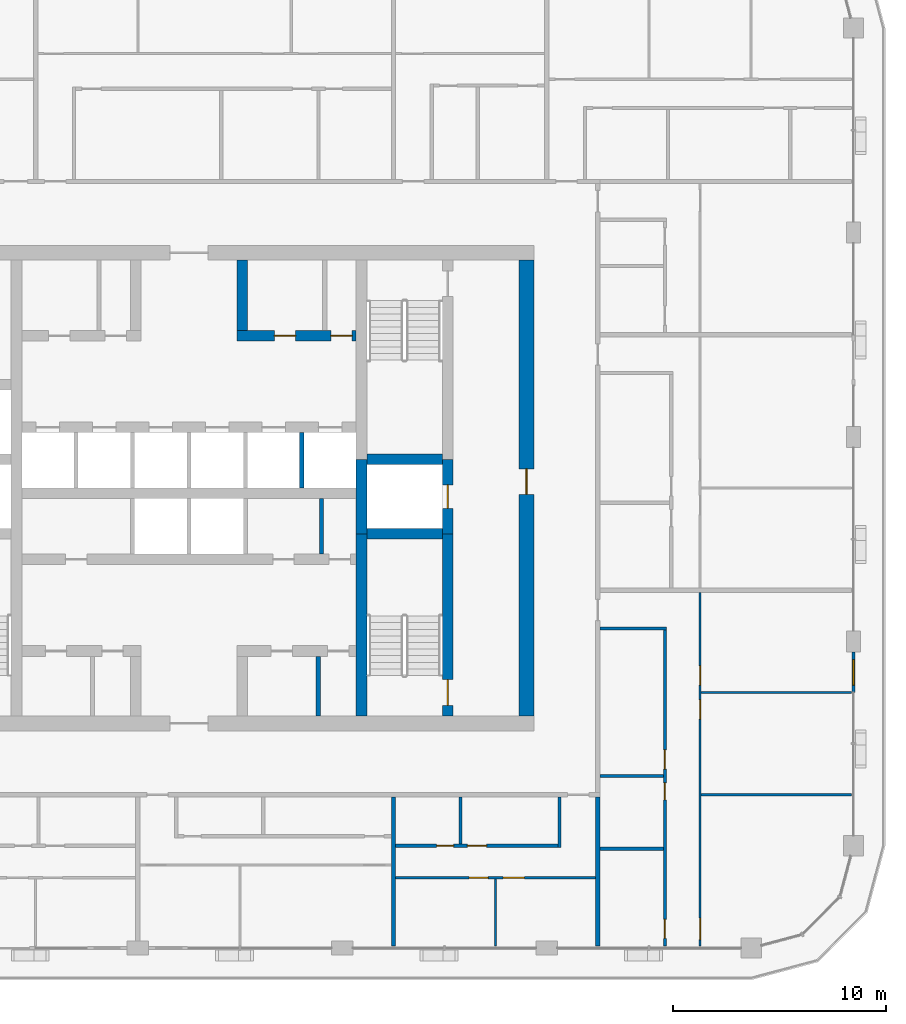
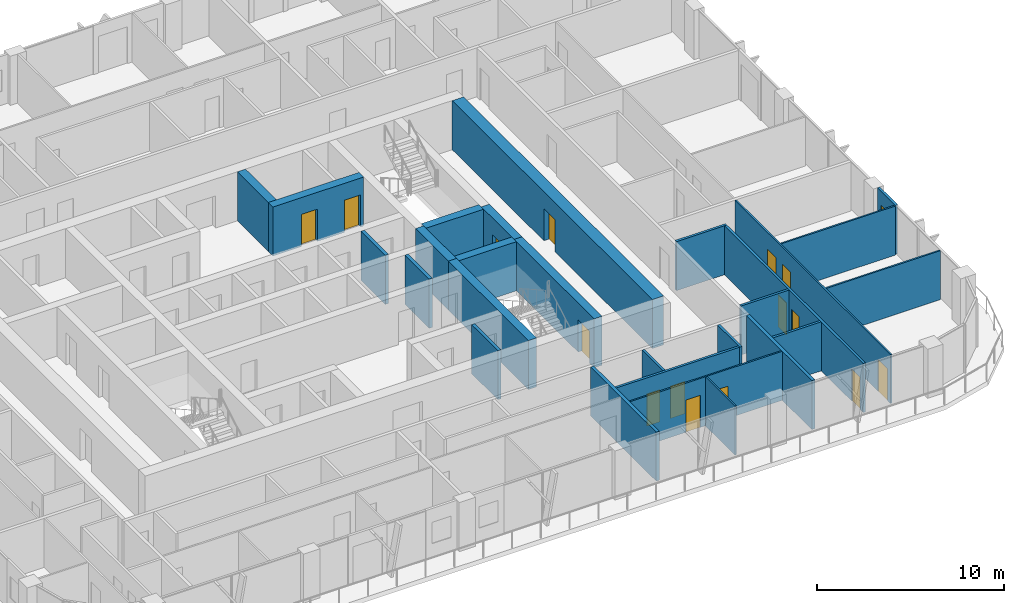
# One storey, part 12 of 23: 27 walls, 15 doors, 1 window, 16 openings.
"""IFC4 building model written with IfcOpenShell, lengths in metres."""

from ifc_helpers import new_model, si_unit, direction, frame, frame_2d, origin, place, context, subcontext, project, spatial, rectangle, extrude, material, layer, layer_set, type_object, element, fill, save


model = new_model("IFC4")

# Units and contexts
model_context = context("Model", 3, precision=1e-05, world=origin(), true_north=direction((0.0, 1.0)))
body_context = subcontext(model_context, "Body", "Model", "MODEL_VIEW")
ifc_project = project(units=[si_unit("LENGTHUNIT", "METRE"), si_unit("AREAUNIT", "SQUARE_METRE"), si_unit("VOLUMEUNIT", "CUBIC_METRE"), si_unit("PLANEANGLEUNIT", "RADIAN"), si_unit("MASSUNIT", "GRAM", prefix="KILO")], contexts=[model_context])

# Site, building, storey
site_placement = place(None, origin())
site = spatial("IfcSite", under=ifc_project, at=site_placement, CompositionType="ELEMENT")
building_placement = place(site_placement, origin())
building = spatial("IfcBuilding", under=site, at=building_placement, Name="Madar Terraces", CompositionType="ELEMENT")
storey_placement = place(building_placement, frame((0.0, 0.0, 215.800048828125)))
storey = spatial("IfcBuildingStorey", under=building, at=storey_placement, Name="L56", CompositionType="ELEMENT", Elevation=215.800048828125)

# Walls
ifc_material_1 = material(Name="Concrete C60/75", Category="concrete")
ifc_layer_1 = layer(ifc_material_1, 0.5)
ifc_layer_set_1 = layer_set([ifc_layer_1], Name="Concrete C60/75 (CIW4 RC wall 500)")
wall_type_1 = type_object("IfcWallType", Name="CIW4 RC wall 500", PredefinedType="SHEAR", material=ifc_layer_set_1)
wall_1_placement = place(storey_placement, frame((39.300048828125, 15.699951171875, 0.0), z_axis=(0.0, 0.0, 1.0), x_axis=(0.0, 1.0, 0.0)))
element("IfcWall", 1, at=wall_1_placement, inside=storey, type_object=wall_type_1, Name="CORE SHAFT WALL", PredefinedType="SHEAR", context=body_context, shape_type="SweptSolid", body=[
    extrude(rectangle(XDim=8.550048828125, YDim=0.5, at=frame_2d((4.27490234375, 0.0))), origin(), (0.0, 0.0, 1.0), 3.199951171875),
])
wall_2_placement = place(storey_placement, frame((39.300048828125, 24.25, 0.0), z_axis=(0.0, 0.0, 1.0), x_axis=(0.0, 1.0, 0.0)))
element("IfcWall", 2, at=wall_2_placement, inside=storey, type_object=wall_type_1, Name="CORE SHAFT WALL", PredefinedType="SHEAR", context=body_context, shape_type="SweptSolid", body=[
    extrude(rectangle(XDim=3.5, YDim=0.5, at=frame_2d((1.75, 0.0))), origin(), (0.0, 0.0, 1.0), 3.199951171875),
])

# Wall, opening, door
wall_3_placement = place(storey_placement, frame((43.35009765625, 15.699951171875, 0.0), z_axis=(0.0, 0.0, 1.0), x_axis=(0.0, 1.0, 0.0)))
wall_3 = element("IfcWall", 3, at=wall_3_placement, inside=storey, type_object=wall_type_1, Name="CORE SHAFT WALL", PredefinedType="SHEAR", context=body_context, shape_type="SweptSolid", body=[
    extrude(rectangle(XDim=8.550048828125, YDim=0.5, at=frame_2d((4.27490234375, 0.0))), origin(), (0.0, 0.0, 1.0), 3.199951171875),
])
opening_1_placement = place(wall_3_placement, frame((0.5, 0.0, 0.0)))
opening_1 = element("IfcOpeningElement", 4, at=opening_1_placement, cuts=wall_3, Name="Opening SD1", PredefinedType="OPENING", context=body_context, shape_type="SweptSolid", body=[
    extrude(rectangle(XDim=1.199951171875, YDim=2.10009765625, at=frame_2d((0.60009765625, 1.050048828125))), frame((0.0, 0.260009765625, 0.0), z_axis=(0.0, -1.0, 0.0), x_axis=(1.0, 0.0, 0.0)), (0.0, 0.0, 1.0), 0.52001953125),
])
ifc_material_2 = material(Name="Steel door leaf", Category="steel")
door_type_1 = type_object("IfcDoorType", Name="Stair door 1200 x 2100", OperationType="NOTDEFINED", PredefinedType="DOOR", material=ifc_material_2)
door_1_placement = place(opening_1_placement, origin())
door_1 = element("IfcDoor", 5, at=door_1_placement, inside=storey, type_object=door_type_1, Name="STAIR DOOR", OperationType="SINGLE_SWING_LEFT", OverallHeight=2.10009765625, OverallWidth=1.199951171875, PredefinedType="DOOR", context=body_context, shape_type="SweptSolid", body=[
    extrude(rectangle(XDim=1.199951171875, YDim=2.10009765625, at=frame_2d((0.60009765625, 1.050048828125))), frame((0.0, 0.02490234375, 0.0), z_axis=(0.0, -1.0, 0.0), x_axis=(1.0, 0.0, 0.0)), (0.0, 0.0, 1.0), 0.050048828125),
])
fill(opening_1, door_1)

wall_4_placement = place(storey_placement, frame((43.35009765625, 24.25, 0.0), z_axis=(0.0, 0.0, 1.0), x_axis=(0.0, 1.0, 0.0)))
wall_4 = element("IfcWall", 6, at=wall_4_placement, inside=storey, type_object=wall_type_1, Name="CORE SHAFT WALL", PredefinedType="SHEAR", context=body_context, shape_type="SweptSolid", body=[
    extrude(rectangle(XDim=3.5, YDim=0.5, at=frame_2d((1.75, 0.0))), origin(), (0.0, 0.0, 1.0), 3.199951171875),
])
opening_2_placement = place(wall_4_placement, frame((1.199951171875, 0.0, 0.0)))
opening_2 = element("IfcOpeningElement", 7, at=opening_2_placement, cuts=wall_4, Name="Opening LD", PredefinedType="OPENING", context=body_context, shape_type="SweptSolid", body=[
    extrude(rectangle(XDim=1.10009765625, YDim=2.10009765625, at=frame_2d((0.550048828125, 1.050048828125))), frame((0.0, 0.260009765625, 0.0), z_axis=(0.0, -1.0, 0.0), x_axis=(1.0, 0.0, 0.0)), (0.0, 0.0, 1.0), 0.52001953125),
])
ifc_material_3 = material(Name="Stainless steel panel", Category="steel")
door_type_2 = type_object("IfcDoorType", Name="Lift landing door 1100 x 2100", OperationType="DOUBLE_DOOR_SLIDING", PredefinedType="DOOR", material=ifc_material_3)
door_2_placement = place(opening_2_placement, origin())
door_2 = element("IfcDoor", 8, at=door_2_placement, inside=storey, type_object=door_type_2, Name="LIFT LANDING DOOR", OperationType="DOUBLE_DOOR_SLIDING", OverallHeight=2.10009765625, OverallWidth=1.10009765625, PredefinedType="DOOR", context=body_context, shape_type="SweptSolid", body=[
    extrude(rectangle(XDim=1.10009765625, YDim=2.10009765625, at=frame_2d((0.550048828125, 1.050048828125))), frame((0.0, 0.02490234375, 0.0), z_axis=(0.0, -1.0, 0.0), x_axis=(1.0, 0.0, 0.0)), (0.0, 0.0, 1.0), 0.050048828125),
])
fill(opening_2, door_2)

# Walls
for number, where, z_axis, x_axis, name in (
    (9, (39.550048828125, 24.25, 0.0), (0.0, 0.0, 1.0), (1.0, 0.0, 0.0), "CORE SHAFT WALL"),
    (10, (39.550048828125, 27.75, 0.0), (0.0, 0.0, 1.0), (1.0, 0.0, 0.0), "CORE SHAFT WALL"),
):
    element("IfcWall", number, at=place(storey_placement, frame(where, z_axis=z_axis, x_axis=x_axis)), inside=storey, type_object=wall_type_1, Name=name, PredefinedType="SHEAR", context=body_context, shape_type="SweptSolid", body=[
        extrude(rectangle(XDim=3.550048828125, YDim=0.5, at=frame_2d((1.77490234375, 0.0))), origin(), (0.0, 0.0, 1.0), 3.199951171875),
    ])

# Wall, openings, doors
wall_5_placement = place(storey_placement, frame((33.449951171875, 33.550048828125, 0.0), z_axis=(0.0, 0.0, 1.0), x_axis=(1.0, 0.0, 0.0)))
wall_5 = element("IfcWall", 11, at=wall_5_placement, inside=storey, type_object=wall_type_1, Name="CORE SHAFT WALL", PredefinedType="SHEAR", context=body_context, shape_type="SweptSolid", body=[
    extrude(rectangle(XDim=5.60009765625, YDim=0.5, at=frame_2d((2.800048828125, 0.0))), origin(), (0.0, 0.0, 1.0), 3.199951171875),
])
opening_3_placement = place(wall_5_placement, frame((1.760498046875, 0.0, 0.0)))
opening_3 = element("IfcOpeningElement", 12, at=opening_3_placement, cuts=wall_5, Name="Opening KD2", PredefinedType="OPENING", context=body_context, shape_type="SweptSolid", body=[
    extrude(rectangle(XDim=1.0, YDim=2.10009765625, at=frame_2d((0.5, 1.050048828125))), frame((0.0, 0.260009765625, 0.0), z_axis=(0.0, -1.0, 0.0), x_axis=(1.0, 0.0, 0.0)), (0.0, 0.0, 1.0), 0.52001953125),
])
opening_4_placement = place(wall_5_placement, frame((4.410400390625, 0.0, 0.0)))
opening_4 = element("IfcOpeningElement", 13, at=opening_4_placement, cuts=wall_5, Name="Opening KD2", PredefinedType="OPENING", context=body_context, shape_type="SweptSolid", body=[
    extrude(rectangle(XDim=1.0, YDim=2.10009765625, at=frame_2d((0.5, 1.050048828125))), frame((0.0, 0.260009765625, 0.0), z_axis=(0.0, -1.0, 0.0), x_axis=(1.0, 0.0, 0.0)), (0.0, 0.0, 1.0), 0.52001953125),
])
ifc_material_4 = material(Name="Steel door leaf", Category="steel")
door_type_3 = type_object("IfcDoorType", Name="Service room door 1000 x 2100", OperationType="NOTDEFINED", PredefinedType="DOOR", material=ifc_material_4)
door_3_placement = place(opening_3_placement, frame((1.0, 0.0, 0.0), z_axis=(0.0, 0.0, 1.0), x_axis=(-1.0, 0.0, 0.0)))
door_3 = element("IfcDoor", 14, at=door_3_placement, inside=storey, type_object=door_type_3, Name="SERVICE ROOM DOOR", OperationType="SINGLE_SWING_RIGHT", OverallHeight=2.10009765625, OverallWidth=1.0, PredefinedType="DOOR", context=body_context, shape_type="SweptSolid", body=[
    extrude(rectangle(XDim=1.0, YDim=2.10009765625, at=frame_2d((0.5, 1.050048828125))), frame((0.0, 0.02490234375, 0.0), z_axis=(0.0, -1.0, 0.0), x_axis=(1.0, 0.0, 0.0)), (0.0, 0.0, 1.0), 0.050048828125),
])
fill(opening_3, door_3)
door_4_placement = place(opening_4_placement, frame((1.0, 0.0, 0.0), z_axis=(0.0, 0.0, 1.0), x_axis=(-1.0, 0.0, 0.0)))
door_4 = element("IfcDoor", 15, at=door_4_placement, inside=storey, type_object=door_type_3, Name="SERVICE ROOM DOOR", OperationType="SINGLE_SWING_LEFT", OverallHeight=2.10009765625, OverallWidth=1.0, PredefinedType="DOOR", context=body_context, shape_type="SweptSolid", body=[
    extrude(rectangle(XDim=1.0, YDim=2.10009765625, at=frame_2d((0.5, 1.050048828125))), frame((0.0, 0.02490234375, 0.0), z_axis=(0.0, -1.0, 0.0), x_axis=(1.0, 0.0, 0.0)), (0.0, 0.0, 1.0), 0.050048828125),
])
fill(opening_4, door_4)

# Wall
wall_6_placement = place(storey_placement, frame((33.699951171875, 33.800048828125, 0.0), z_axis=(0.0, 0.0, 1.0), x_axis=(0.0, 1.0, 0.0)))
element("IfcWall", 16, at=wall_6_placement, inside=storey, type_object=wall_type_1, Name="CORE SHAFT WALL", PredefinedType="SHEAR", context=body_context, shape_type="SweptSolid", body=[
    extrude(rectangle(XDim=3.300048828125, YDim=0.5, at=frame_2d((1.64990234375, 0.0))), origin(), (0.0, 0.0, 1.0), 3.199951171875),
])

# Wall, opening, door
ifc_material_5 = material(Name="Concrete C60/75", Category="concrete")
ifc_layer_2 = layer(ifc_material_5, 0.699951171875)
ifc_layer_set_2 = layer_set([ifc_layer_2], Name="Concrete C60/75 (CRW4 RC wall 700)")
wall_type_2 = type_object("IfcWallType", Name="CRW4 RC wall 700", PredefinedType="SHEAR", material=ifc_layer_set_2)
wall_7_placement = place(storey_placement, frame((47.050048828125, 15.699951171875, 0.0), z_axis=(0.0, 0.0, 1.0), x_axis=(0.0, 1.0, 0.0)))
wall_7 = element("IfcWall", 17, at=wall_7_placement, inside=storey, type_object=wall_type_2, Name="CORE OUTER WALL", PredefinedType="SHEAR", context=body_context, shape_type="SweptSolid", body=[
    extrude(rectangle(XDim=21.400146484375, YDim=0.699951171875, at=frame_2d((10.7001953125, 0.0))), origin(), (0.0, 0.0, 1.0), 3.199951171875),
])
opening_5_placement = place(wall_7_placement, frame((10.39990234375, 0.0, 0.0)))
opening_5 = element("IfcOpeningElement", 18, at=opening_5_placement, cuts=wall_7, Name="Opening SD1", PredefinedType="OPENING", context=body_context, shape_type="SweptSolid", body=[
    extrude(rectangle(XDim=1.199951171875, YDim=2.10009765625, at=frame_2d((0.60009765625, 1.050048828125))), frame((0.0, 0.35986328125, 0.0), z_axis=(0.0, -1.0, 0.0), x_axis=(1.0, 0.0, 0.0)), (0.0, 0.0, 1.0), 0.719970703125),
])
door_5_placement = place(opening_5_placement, origin())
door_5 = element("IfcDoor", 19, at=door_5_placement, inside=storey, type_object=door_type_1, Name="STAIR DOOR", OperationType="SINGLE_SWING_RIGHT", OverallHeight=2.10009765625, OverallWidth=1.199951171875, PredefinedType="DOOR", context=body_context, shape_type="SweptSolid", body=[
    extrude(rectangle(XDim=1.199951171875, YDim=2.10009765625, at=frame_2d((0.60009765625, 1.050048828125))), frame((0.0, 0.02490234375, 0.0), z_axis=(0.0, -1.0, 0.0), x_axis=(1.0, 0.0, 0.0)), (0.0, 0.0, 1.0), 0.050048828125),
])
fill(opening_5, door_5)

# Walls
ifc_material_6 = material(Name="Masonry blockwork", Category="masonry")
ifc_layer_3 = layer(ifc_material_6, 0.199951171875)
ifc_layer_set_3 = layer_set([ifc_layer_3], Name="Core partition 200 blockwork")
wall_type_3 = type_object("IfcWallType", Name="Core partition 200 blockwork", PredefinedType="PARTITIONING", material=ifc_layer_set_3)
wall_8_placement = place(storey_placement, frame((37.41796875, 23.300048828125, 0.0), z_axis=(0.0, 0.0, 1.0), x_axis=(0.0, 1.0, 0.0)))
element("IfcWall", 20, at=wall_8_placement, inside=storey, type_object=wall_type_3, Name="SERVICE ROOM PARTITION", PredefinedType="PARTITIONING", context=body_context, shape_type="SweptSolid", body=[
    extrude(rectangle(XDim=2.599853515625, YDim=0.199951171875, at=frame_2d((1.2998046875, 0.0))), origin(), (0.0, 0.0, 1.0), 3.199951171875),
])
wall_9_placement = place(storey_placement, frame((37.264892578125, 15.699951171875, 0.0), z_axis=(0.0, 0.0, 1.0), x_axis=(0.0, 1.0, 0.0)))
element("IfcWall", 21, at=wall_9_placement, inside=storey, type_object=wall_type_3, Name="SERVICE ROOM PARTITION", PredefinedType="PARTITIONING", context=body_context, shape_type="SweptSolid", body=[
    extrude(rectangle(XDim=2.800048828125, YDim=0.199951171875, at=frame_2d((1.39990234375, 0.0))), origin(), (0.0, 0.0, 1.0), 3.199951171875),
])
ifc_material_7 = material(Name="Concrete C40/50", Category="concrete")
ifc_layer_4 = layer(ifc_material_7, 0.199951171875)
ifc_layer_set_4 = layer_set([ifc_layer_4], Name="Core shaft dividing wall 200 C40/50")
wall_type_4 = type_object("IfcWallType", Name="Core shaft dividing wall 200 C40/50", PredefinedType="SOLIDWALL", material=ifc_layer_set_4)
wall_10_placement = place(storey_placement, frame((36.5, 26.39990234375, 0.0), z_axis=(0.0, 0.0, 1.0), x_axis=(0.0, 1.0, 0.0)))
element("IfcWall", 22, at=wall_10_placement, inside=storey, type_object=wall_type_4, Name="SHAFT DIVIDING WALL", PredefinedType="SOLIDWALL", context=body_context, shape_type="SweptSolid", body=[
    extrude(rectangle(XDim=2.60009765625, YDim=0.199951171875, at=frame_2d((1.300048828125, 0.0))), origin(), (0.0, 0.0, 1.0), 3.199951171875),
])

# Wall, opening, window
ifc_material_8 = material(Name="Aluminium composite panel, black, over insulated backing", Category="aluminium")
ifc_layer_5 = layer(ifc_material_8, 0.14990234375)
ifc_layer_set_5 = layer_set([ifc_layer_5], Name="Facade bay panel 150")
wall_type_5 = type_object("IfcWallType", Name="Facade bay panel 150", PredefinedType="SOLIDWALL", material=ifc_layer_set_5)
wall_11_placement = place(storey_placement, frame((62.39990234375, 16.800048828125, 0.0), z_axis=(0.0, 0.0, 1.0), x_axis=(0.0, 1.0, 0.0)))
wall_11 = element("IfcWall", 23, at=wall_11_placement, inside=storey, type_object=wall_type_5, Name="Facade bay panel", PredefinedType="SOLIDWALL", context=body_context, shape_type="SweptSolid", body=[
    extrude(rectangle(XDim=1.89990234375, YDim=0.14990234375, at=frame_2d((0.949951171875, 0.0))), origin(), (0.0, 0.0, 1.0), 3.199951171875),
])
opening_6_placement = place(wall_11_placement, frame((0.35009765625, 0.0, 0.89990234375)))
opening_6 = element("IfcOpeningElement", 24, at=opening_6_placement, cuts=wall_11, Name="Opening W1", PredefinedType="OPENING", context=body_context, shape_type="SweptSolid", body=[
    extrude(rectangle(XDim=1.199951171875, YDim=1.39990234375, at=frame_2d((0.60009765625, 0.699951171875))), frame((0.0, 0.0849609375, 0.0), z_axis=(0.0, -1.0, 0.0), x_axis=(1.0, 0.0, 0.0)), (0.0, 0.0, 1.0), 0.169921875),
])
ifc_material_9 = material(Name="Glass, clear, with black aluminium frame", Category="aluminium")
window_type = type_object("IfcWindowType", Name="Vent window 1200 x 1400", PartitioningType="SINGLE_PANEL", PredefinedType="WINDOW", material=ifc_material_9)
window_placement = place(opening_6_placement, origin())
window = element("IfcWindow", 25, at=window_placement, inside=storey, type_object=window_type, Name="Operable vent window", OverallHeight=1.39990234375, OverallWidth=1.199951171875, PartitioningType="SINGLE_PANEL", PredefinedType="WINDOW", context=body_context, shape_type="SweptSolid", body=[
    extrude(rectangle(XDim=1.199951171875, YDim=1.39990234375, at=frame_2d((0.60009765625, 0.699951171875))), frame((0.0, 0.030029296875, 0.0), z_axis=(0.0, -1.0, 0.0), x_axis=(1.0, 0.0, 0.0)), (0.0, 0.0, 1.0), 0.06005859375),
])
fill(opening_6, window)

# Wall
ifc_material_10 = material(Name="Gypsum board on steel studs", Category="steel")
ifc_layer_6 = layer(ifc_material_10, 0.10009765625)
ifc_layer_set_6 = layer_set([ifc_layer_6], Name="Flat partition 100")
wall_type_6 = type_object("IfcWallType", Name="Flat partition 100", PredefinedType="PARTITIONING", material=ifc_layer_set_6)
wall_12_placement = place(storey_placement, frame((45.60009765625, 8.050048828125, 0.0), z_axis=(0.0, 0.0, 1.0), x_axis=(0.0, -1.0, 0.0)))
element("IfcWall", 26, at=wall_12_placement, inside=storey, type_object=wall_type_6, Name="Flat partition 100", PredefinedType="PARTITIONING", context=body_context, shape_type="SweptSolid", body=[
    extrude(rectangle(XDim=3.150146484375, YDim=0.10009765625, at=frame_2d((1.5751953125, 0.0))), origin(), (0.0, 0.0, 1.0), 3.199951171875),
])

# Wall, openings, doors
wall_13_placement = place(storey_placement, frame((50.300048828125, 8.10009765625, 0.0), z_axis=(0.0, 0.0, 1.0), x_axis=(-1.0, 0.0, 0.0)))
wall_13 = element("IfcWall", 27, at=wall_13_placement, inside=storey, type_object=wall_type_6, Name="Flat partition 100", PredefinedType="PARTITIONING", context=body_context, shape_type="SweptSolid", body=[
    extrude(rectangle(XDim=9.400146484375, YDim=0.10009765625, at=frame_2d((4.7001953125, 0.0))), origin(), (0.0, 0.0, 1.0), 3.199951171875),
])
opening_7_placement = place(wall_13_placement, frame((3.35009765625, 0.0, 0.0)))
opening_7 = element("IfcOpeningElement", 28, at=opening_7_placement, cuts=wall_13, Name="Opening D3", PredefinedType="OPENING", context=body_context, shape_type="SweptSolid", body=[
    extrude(rectangle(XDim=1.0, YDim=2.10009765625, at=frame_2d((0.5, 1.050048828125))), frame((0.0, 0.06005859375, 0.0), z_axis=(0.0, -1.0, 0.0), x_axis=(1.0, 0.0, 0.0)), (0.0, 0.0, 1.0), 0.1201171875),
])
opening_8_placement = place(wall_13_placement, frame((5.050048828125, 0.0, 0.0)))
opening_8 = element("IfcOpeningElement", 29, at=opening_8_placement, cuts=wall_13, Name="Opening D2", PredefinedType="OPENING", context=body_context, shape_type="SweptSolid", body=[
    extrude(rectangle(XDim=0.89990234375, YDim=2.10009765625, at=frame_2d((0.449951171875, 1.050048828125))), frame((0.0, 0.06005859375, 0.0), z_axis=(0.0, -1.0, 0.0), x_axis=(1.0, 0.0, 0.0)), (0.0, 0.0, 1.0), 0.1201171875),
])
ifc_material_11 = material(Name="Timber door leaf", Category="wood")
door_type_4 = type_object("IfcDoorType", Name="Flat living room door 1000", OperationType="NOTDEFINED", PredefinedType="DOOR", material=ifc_material_11)
door_6_placement = place(opening_7_placement, origin())
door_6 = element("IfcDoor", 30, at=door_6_placement, inside=storey, type_object=door_type_4, Name="Flat living room door 1000", OperationType="SINGLE_SWING_RIGHT", OverallHeight=2.10009765625, OverallWidth=1.0, PredefinedType="DOOR", context=body_context, shape_type="SweptSolid", body=[
    extrude(rectangle(XDim=1.0, YDim=2.10009765625, at=frame_2d((0.5, 1.050048828125))), frame((0.0, 0.02490234375, 0.0), z_axis=(0.0, -1.0, 0.0), x_axis=(1.0, 0.0, 0.0)), (0.0, 0.0, 1.0), 0.050048828125),
])
fill(opening_7, door_6)
ifc_material_12 = material(Name="Timber door leaf", Category="wood")
door_type_5 = type_object("IfcDoorType", Name="Flat room door 900", OperationType="NOTDEFINED", PredefinedType="DOOR", material=ifc_material_12)
door_7_placement = place(opening_8_placement, origin())
door_7 = element("IfcDoor", 31, at=door_7_placement, inside=storey, type_object=door_type_5, Name="Flat room door 900", OperationType="SINGLE_SWING_LEFT", OverallHeight=2.10009765625, OverallWidth=0.89990234375, PredefinedType="DOOR", context=body_context, shape_type="SweptSolid", body=[
    extrude(rectangle(XDim=0.89990234375, YDim=2.10009765625, at=frame_2d((0.449951171875, 1.050048828125))), frame((0.0, 0.02490234375, 0.0), z_axis=(0.0, -1.0, 0.0), x_axis=(1.0, 0.0, 0.0)), (0.0, 0.0, 1.0), 0.050048828125),
])
fill(opening_8, door_7)

# Walls
for number, where, z_axis, x_axis, name in (
    (32, (55.25, 16.800048828125, 0.0), (0.0, 0.0, 1.0), (1.0, 0.0, 0.0), "Flat partition 100"),
    (33, (55.25, 12.0, 0.0), (0.0, 0.0, 1.0), (1.0, 0.0, 0.0), "Flat partition 100"),
):
    element("IfcWall", number, at=place(storey_placement, frame(where, z_axis=z_axis, x_axis=x_axis)), inside=storey, type_object=wall_type_6, Name=name, PredefinedType="PARTITIONING", context=body_context, shape_type="SweptSolid", body=[
        extrude(rectangle(XDim=7.050048828125, YDim=0.10009765625, at=frame_2d((3.52490234375, 0.0))), origin(), (0.0, 0.0, 1.0), 3.199951171875),
    ])

# Wall, openings, doors
wall_14_placement = place(storey_placement, frame((55.199951171875, 21.5, 0.0), z_axis=(0.0, 0.0, 1.0), x_axis=(0.0, -1.0, 0.0)))
wall_14 = element("IfcWall", 34, at=wall_14_placement, inside=storey, type_object=wall_type_6, Name="Flat partition 100", PredefinedType="PARTITIONING", context=body_context, shape_type="SweptSolid", body=[
    extrude(rectangle(XDim=16.60009765625, YDim=0.10009765625, at=frame_2d((8.300048828125, 0.0))), origin(), (0.0, 0.0, 1.0), 3.199951171875),
])
opening_9_placement = place(wall_14_placement, frame((3.449951171875, 0.0, 0.0)))
opening_9 = element("IfcOpeningElement", 35, at=opening_9_placement, cuts=wall_14, Name="Opening D2", PredefinedType="OPENING", context=body_context, shape_type="SweptSolid", body=[
    extrude(rectangle(XDim=0.89990234375, YDim=2.10009765625, at=frame_2d((0.449951171875, 1.050048828125))), frame((0.0, 0.06005859375, 0.0), z_axis=(0.0, -1.0, 0.0), x_axis=(1.0, 0.0, 0.0)), (0.0, 0.0, 1.0), 0.1201171875),
])
opening_10_placement = place(wall_14_placement, frame((5.050048828125, 0.0, 0.0)))
opening_10 = element("IfcOpeningElement", 36, at=opening_10_placement, cuts=wall_14, Name="Opening D2", PredefinedType="OPENING", context=body_context, shape_type="SweptSolid", body=[
    extrude(rectangle(XDim=0.89990234375, YDim=2.10009765625, at=frame_2d((0.449951171875, 1.050048828125))), frame((0.0, 0.06005859375, 0.0), z_axis=(0.0, -1.0, 0.0), x_axis=(1.0, 0.0, 0.0)), (0.0, 0.0, 1.0), 0.1201171875),
])
opening_11_placement = place(wall_14_placement, frame((15.300048828125, 0.0, 0.0)))
opening_11 = element("IfcOpeningElement", 37, at=opening_11_placement, cuts=wall_14, Name="Opening D3", PredefinedType="OPENING", context=body_context, shape_type="SweptSolid", body=[
    extrude(rectangle(XDim=1.0, YDim=2.10009765625, at=frame_2d((0.5, 1.050048828125))), frame((0.0, 0.06005859375, 0.0), z_axis=(0.0, -1.0, 0.0), x_axis=(1.0, 0.0, 0.0)), (0.0, 0.0, 1.0), 0.1201171875),
])
door_8_placement = place(opening_11_placement, origin())
door_8 = element("IfcDoor", 38, at=door_8_placement, inside=storey, type_object=door_type_4, Name="Flat living room door 1000", OperationType="SINGLE_SWING_RIGHT", OverallHeight=2.10009765625, OverallWidth=1.0, PredefinedType="DOOR", context=body_context, shape_type="SweptSolid", body=[
    extrude(rectangle(XDim=1.0, YDim=2.10009765625, at=frame_2d((0.5, 1.050048828125))), frame((0.0, 0.02490234375, 0.0), z_axis=(0.0, -1.0, 0.0), x_axis=(1.0, 0.0, 0.0)), (0.0, 0.0, 1.0), 0.050048828125),
])
fill(opening_11, door_8)
door_9_placement = place(opening_9_placement, origin())
door_9 = element("IfcDoor", 39, at=door_9_placement, inside=storey, type_object=door_type_5, Name="Flat room door 900", OperationType="SINGLE_SWING_RIGHT", OverallHeight=2.10009765625, OverallWidth=0.89990234375, PredefinedType="DOOR", context=body_context, shape_type="SweptSolid", body=[
    extrude(rectangle(XDim=0.89990234375, YDim=2.10009765625, at=frame_2d((0.449951171875, 1.050048828125))), frame((0.0, 0.02490234375, 0.0), z_axis=(0.0, -1.0, 0.0), x_axis=(1.0, 0.0, 0.0)), (0.0, 0.0, 1.0), 0.050048828125),
])
fill(opening_9, door_9)
door_10_placement = place(opening_10_placement, origin())
door_10 = element("IfcDoor", 40, at=door_10_placement, inside=storey, type_object=door_type_5, Name="Flat room door 900", OperationType="SINGLE_SWING_LEFT", OverallHeight=2.10009765625, OverallWidth=0.89990234375, PredefinedType="DOOR", context=body_context, shape_type="SweptSolid", body=[
    extrude(rectangle(XDim=0.89990234375, YDim=2.10009765625, at=frame_2d((0.449951171875, 1.050048828125))), frame((0.0, 0.02490234375, 0.0), z_axis=(0.0, -1.0, 0.0), x_axis=(1.0, 0.0, 0.0)), (0.0, 0.0, 1.0), 0.050048828125),
])
fill(opening_10, door_10)

# Walls
ifc_material_13 = material(Name="Lightweight blockwork", Category="masonry")
ifc_layer_7 = layer(ifc_material_13, 0.199951171875)
ifc_layer_set_7 = layer_set([ifc_layer_7], Name="Flat party and entrance wall 200")
wall_type_7 = type_object("IfcWallType", Name="Flat party and entrance wall 200", PredefinedType="PARTITIONING", material=ifc_layer_set_7)
for number, where, z_axis, x_axis, name in (
    (41, (40.800048828125, 11.89990234375, 0.0), (0.0, 0.0, 1.0), (0.0, -1.0, 0.0), "Flat party and entrance wall 200"),
    (42, (50.39990234375, 11.89990234375, 0.0), (0.0, 0.0, 1.0), (0.0, -1.0, 0.0), "Flat party and entrance wall 200"),
):
    element("IfcWall", number, at=place(storey_placement, frame(where, z_axis=z_axis, x_axis=x_axis)), inside=storey, type_object=wall_type_7, Name=name, PredefinedType="PARTITIONING", context=body_context, shape_type="SweptSolid", body=[
        extrude(rectangle(XDim=7.0, YDim=0.199951171875, at=frame_2d((3.5, 0.0))), origin(), (0.0, 0.0, 1.0), 3.199951171875),
    ])
ifc_material_14 = material(Name="Lightweight blockwork", Category="masonry")
ifc_layer_8 = layer(ifc_material_14, 0.14990234375)
ifc_layer_set_8 = layer_set([ifc_layer_8], Name="Flat wet-room partition 150")
wall_type_8 = type_object("IfcWallType", Name="Flat wet-room partition 150", PredefinedType="PARTITIONING", material=ifc_layer_set_8)
wall_15_placement = place(storey_placement, frame((43.949951171875, 11.89990234375, 0.0), z_axis=(0.0, 0.0, 1.0), x_axis=(0.0, -1.0, 0.0)))
element("IfcWall", 43, at=wall_15_placement, inside=storey, type_object=wall_type_8, Name="Flat wet-room partition 150", PredefinedType="PARTITIONING", context=body_context, shape_type="SweptSolid", body=[
    extrude(rectangle(XDim=2.224853515625, YDim=0.14990234375, at=frame_2d((1.1123046875, 0.0))), origin(), (0.0, 0.0, 1.0), 3.199951171875),
])
wall_16_placement = place(storey_placement, frame((48.60009765625, 11.89990234375, 0.0), z_axis=(0.0, 0.0, 1.0), x_axis=(0.0, -1.0, 0.0)))
element("IfcWall", 44, at=wall_16_placement, inside=storey, type_object=wall_type_8, Name="Flat wet-room partition 150", PredefinedType="PARTITIONING", context=body_context, shape_type="SweptSolid", body=[
    extrude(rectangle(XDim=2.375, YDim=0.14990234375, at=frame_2d((1.1875, 0.0))), origin(), (0.0, 0.0, 1.0), 3.199951171875),
])

# Wall, openings, doors
wall_17_placement = place(storey_placement, frame((40.89990234375, 9.60009765625, 0.0), z_axis=(0.0, 0.0, 1.0), x_axis=(1.0, 0.0, 0.0)))
wall_17 = element("IfcWall", 45, at=wall_17_placement, inside=storey, type_object=wall_type_8, Name="Flat wet-room partition 150", PredefinedType="PARTITIONING", context=body_context, shape_type="SweptSolid", body=[
    extrude(rectangle(XDim=7.625, YDim=0.14990234375, at=frame_2d((3.8125, 0.0))), origin(), (0.0, 0.0, 1.0), 3.199951171875),
])
opening_12_placement = place(wall_17_placement, frame((3.375, 0.0, 0.0)))
opening_12 = element("IfcOpeningElement", 46, at=opening_12_placement, cuts=wall_17, Name="Opening D2", PredefinedType="OPENING", context=body_context, shape_type="SweptSolid", body=[
    extrude(rectangle(XDim=0.89990234375, YDim=2.10009765625, at=frame_2d((0.449951171875, 1.050048828125))), frame((0.0, 0.0849609375, 0.0), z_axis=(0.0, -1.0, 0.0), x_axis=(1.0, 0.0, 0.0)), (0.0, 0.0, 1.0), 0.169921875),
])
opening_13_placement = place(wall_17_placement, frame((1.925048828125, 0.0, 0.0)))
opening_13 = element("IfcOpeningElement", 47, at=opening_13_placement, cuts=wall_17, Name="Opening D4", PredefinedType="OPENING", context=body_context, shape_type="SweptSolid", body=[
    extrude(rectangle(XDim=0.800048828125, YDim=2.10009765625, at=frame_2d((0.39990234375, 1.050048828125))), frame((0.0, 0.0849609375, 0.0), z_axis=(0.0, -1.0, 0.0), x_axis=(1.0, 0.0, 0.0)), (0.0, 0.0, 1.0), 0.169921875),
])
ifc_material_15 = material(Name="Timber door leaf", Category="wood")
door_type_6 = type_object("IfcDoorType", Name="Flat bathroom door 800", OperationType="NOTDEFINED", PredefinedType="DOOR", material=ifc_material_15)
door_11_placement = place(opening_13_placement, origin())
door_11 = element("IfcDoor", 48, at=door_11_placement, inside=storey, type_object=door_type_6, Name="Flat bathroom door 800", OperationType="SINGLE_SWING_RIGHT", OverallHeight=2.10009765625, OverallWidth=0.800048828125, PredefinedType="DOOR", context=body_context, shape_type="SweptSolid", body=[
    extrude(rectangle(XDim=0.800048828125, YDim=2.10009765625, at=frame_2d((0.39990234375, 1.050048828125))), frame((0.0, 0.02490234375, 0.0), z_axis=(0.0, -1.0, 0.0), x_axis=(1.0, 0.0, 0.0)), (0.0, 0.0, 1.0), 0.050048828125),
])
fill(opening_13, door_11)
door_12_placement = place(opening_12_placement, origin())
door_12 = element("IfcDoor", 49, at=door_12_placement, inside=storey, type_object=door_type_5, Name="Flat room door 900", OperationType="SINGLE_SWING_LEFT", OverallHeight=2.10009765625, OverallWidth=0.89990234375, PredefinedType="DOOR", context=body_context, shape_type="SweptSolid", body=[
    extrude(rectangle(XDim=0.89990234375, YDim=2.10009765625, at=frame_2d((0.449951171875, 1.050048828125))), frame((0.0, 0.02490234375, 0.0), z_axis=(0.0, -1.0, 0.0), x_axis=(1.0, 0.0, 0.0)), (0.0, 0.0, 1.0), 0.050048828125),
])
fill(opening_12, door_12)

# Walls
for number, where, z_axis, x_axis, name in (
    (50, (50.5, 12.8828125, 0.0), (0.0, 0.0, 1.0), (1.0, 0.0, 0.0), "Flat wet-room partition 150"),
    (51, (50.5, 9.46142578125, 0.0), (0.0, 0.0, 1.0), (1.0, 0.0, 0.0), "Flat wet-room partition 150"),
):
    element("IfcWall", number, at=place(storey_placement, frame(where, z_axis=z_axis, x_axis=x_axis)), inside=storey, type_object=wall_type_8, Name=name, PredefinedType="PARTITIONING", context=body_context, shape_type="SweptSolid", body=[
        extrude(rectangle(XDim=2.97509765625, YDim=0.14990234375, at=frame_2d((1.487548828125, 0.0))), origin(), (0.0, 0.0, 1.0), 3.199951171875),
    ])
wall_18_placement = place(storey_placement, frame((50.5, 19.800048828125, 0.0), z_axis=(0.0, 0.0, 1.0), x_axis=(1.0, 0.0, 0.0)))
element("IfcWall", 52, at=wall_18_placement, inside=storey, type_object=wall_type_8, Name="Flat wet-room partition 150", PredefinedType="PARTITIONING", context=body_context, shape_type="SweptSolid", body=[
    extrude(rectangle(XDim=3.125, YDim=0.14990234375, at=frame_2d((1.5625, 0.0))), origin(), (0.0, 0.0, 1.0), 3.199951171875),
])

# Wall, openings, doors
wall_19_placement = place(storey_placement, frame((53.550048828125, 4.89990234375, 0.0), z_axis=(0.0, 0.0, 1.0), x_axis=(0.0, 1.0, 0.0)))
wall_19 = element("IfcWall", 53, at=wall_19_placement, inside=storey, type_object=wall_type_8, Name="Flat wet-room partition 150", PredefinedType="PARTITIONING", context=body_context, shape_type="SweptSolid", body=[
    extrude(rectangle(XDim=14.8251953125, YDim=0.14990234375, at=frame_2d((7.41259765625, 0.0))), origin(), (0.0, 0.0, 1.0), 3.199951171875),
])
opening_14_placement = place(wall_19_placement, frame((8.3076171875, 0.0, 0.0)))
opening_14 = element("IfcOpeningElement", 54, at=opening_14_placement, cuts=wall_19, Name="Opening D2", PredefinedType="OPENING", context=body_context, shape_type="SweptSolid", body=[
    extrude(rectangle(XDim=0.89990234375, YDim=2.10009765625, at=frame_2d((0.449951171875, 1.050048828125))), frame((0.0, 0.0849609375, 0.0), z_axis=(0.0, -1.0, 0.0), x_axis=(1.0, 0.0, 0.0)), (0.0, 0.0, 1.0), 0.169921875),
])
opening_15_placement = place(wall_19_placement, frame((6.857666015625, 0.0, 0.0)))
opening_15 = element("IfcOpeningElement", 55, at=opening_15_placement, cuts=wall_19, Name="Opening D4", PredefinedType="OPENING", context=body_context, shape_type="SweptSolid", body=[
    extrude(rectangle(XDim=0.800048828125, YDim=2.10009765625, at=frame_2d((0.39990234375, 1.050048828125))), frame((0.0, 0.0849609375, 0.0), z_axis=(0.0, -1.0, 0.0), x_axis=(1.0, 0.0, 0.0)), (0.0, 0.0, 1.0), 0.169921875),
])
opening_16_placement = place(wall_19_placement, frame((0.35009765625, 0.0, 0.0)))
opening_16 = element("IfcOpeningElement", 56, at=opening_16_placement, cuts=wall_19, Name="Opening D5", PredefinedType="OPENING", context=body_context, shape_type="SweptSolid", body=[
    extrude(rectangle(XDim=0.89990234375, YDim=2.10009765625, at=frame_2d((0.449951171875, 1.050048828125))), frame((0.0, 0.0849609375, 0.0), z_axis=(0.0, -1.0, 0.0), x_axis=(1.0, 0.0, 0.0)), (0.0, 0.0, 1.0), 0.169921875),
])
ifc_material_16 = material(Name="Timber door leaf", Category="wood")
door_type_7 = type_object("IfcDoorType", Name="Flat accessible bathroom door 900", OperationType="NOTDEFINED", PredefinedType="DOOR", material=ifc_material_16)
door_13_placement = place(opening_16_placement, origin())
door_13 = element("IfcDoor", 57, at=door_13_placement, inside=storey, type_object=door_type_7, Name="Flat accessible bathroom door 900", OperationType="SINGLE_SWING_LEFT", OverallHeight=2.10009765625, OverallWidth=0.89990234375, PredefinedType="DOOR", context=body_context, shape_type="SweptSolid", body=[
    extrude(rectangle(XDim=0.89990234375, YDim=2.10009765625, at=frame_2d((0.449951171875, 1.050048828125))), frame((0.0, 0.02490234375, 0.0), z_axis=(0.0, -1.0, 0.0), x_axis=(1.0, 0.0, 0.0)), (0.0, 0.0, 1.0), 0.050048828125),
])
fill(opening_16, door_13)
door_14_placement = place(opening_15_placement, origin())
door_14 = element("IfcDoor", 58, at=door_14_placement, inside=storey, type_object=door_type_6, Name="Flat bathroom door 800", OperationType="SINGLE_SWING_RIGHT", OverallHeight=2.10009765625, OverallWidth=0.800048828125, PredefinedType="DOOR", context=body_context, shape_type="SweptSolid", body=[
    extrude(rectangle(XDim=0.800048828125, YDim=2.10009765625, at=frame_2d((0.39990234375, 1.050048828125))), frame((0.0, 0.02490234375, 0.0), z_axis=(0.0, -1.0, 0.0), x_axis=(1.0, 0.0, 0.0)), (0.0, 0.0, 1.0), 0.050048828125),
])
fill(opening_15, door_14)
door_15_placement = place(opening_14_placement, origin())
door_15 = element("IfcDoor", 59, at=door_15_placement, inside=storey, type_object=door_type_5, Name="Flat room door 900", OperationType="SINGLE_SWING_LEFT", OverallHeight=2.10009765625, OverallWidth=0.89990234375, PredefinedType="DOOR", context=body_context, shape_type="SweptSolid", body=[
    extrude(rectangle(XDim=0.89990234375, YDim=2.10009765625, at=frame_2d((0.449951171875, 1.050048828125))), frame((0.0, 0.02490234375, 0.0), z_axis=(0.0, -1.0, 0.0), x_axis=(1.0, 0.0, 0.0)), (0.0, 0.0, 1.0), 0.050048828125),
])
fill(opening_14, door_15)

save(model, "model.ifc")
